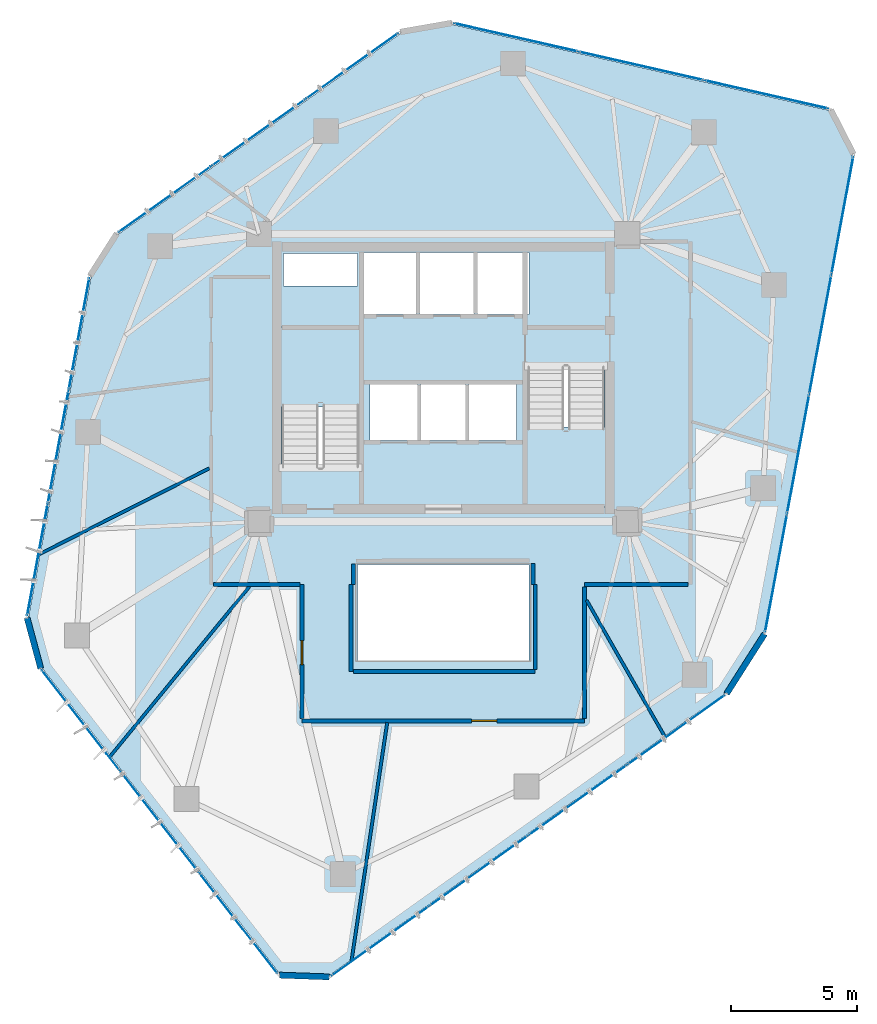
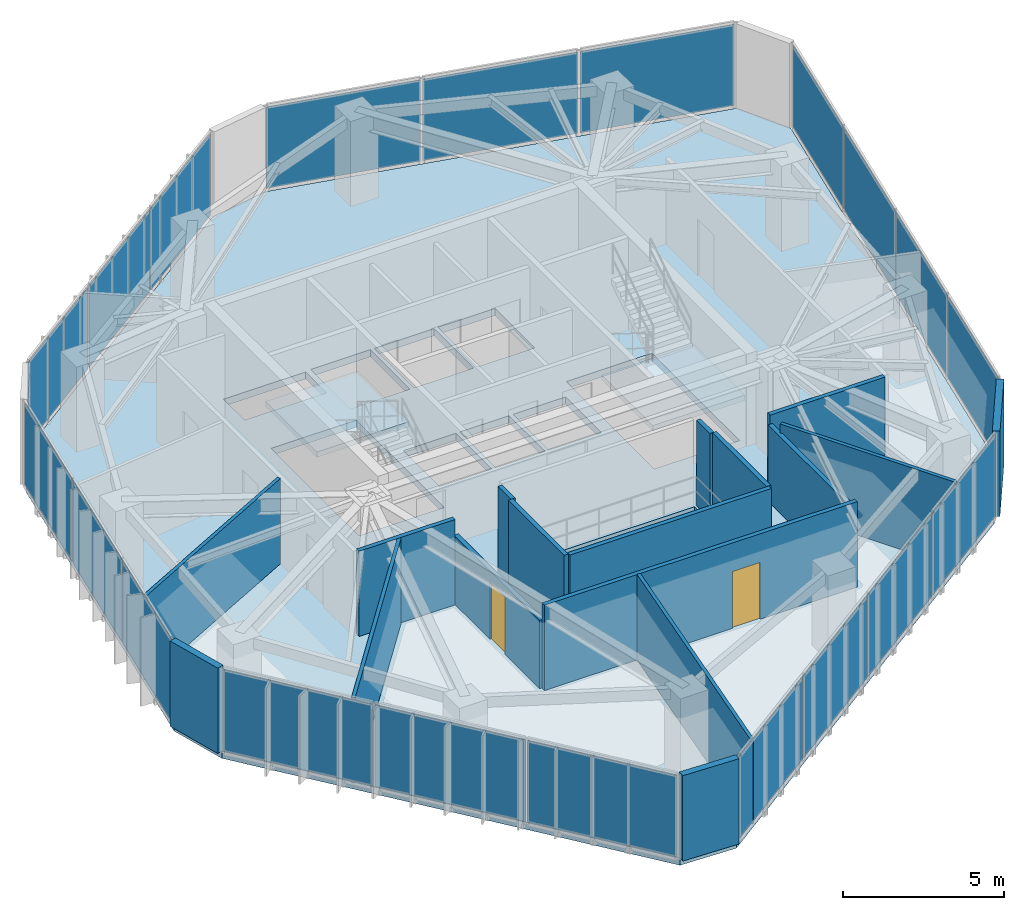
# One storey, part 15 of 19: 20 plates, 17 walls, 3 slabs, 2 doors, 2 openings, 8 elements without a shape of their own.
"""IFC4 building model written with IfcOpenShell, lengths in metres."""

from ifc_helpers import new_model, si_unit, direction, frame, frame_2d, origin, origin_2d, place, context, subcontext, project, spatial, polyline, rectangle, outline, extrude, source, transform, mapped, material, layer, layer_set, type_object, type_shapes, element, fill, aggregate, save


model = new_model("IFC4")

# Units and contexts
model_context = context("Model", 3, precision=1e-05, world=origin(), true_north=direction((0.0, 1.0)))
body_context = subcontext(model_context, "Body", "Model", "MODEL_VIEW")
ifc_project = project(units=[si_unit("LENGTHUNIT", "METRE"), si_unit("AREAUNIT", "SQUARE_METRE"), si_unit("VOLUMEUNIT", "CUBIC_METRE"), si_unit("PLANEANGLEUNIT", "RADIAN"), si_unit("MASSUNIT", "GRAM", prefix="KILO")], contexts=[model_context])

# Site, building, storey
site_placement = place(None, origin())
site = spatial("IfcSite", under=ifc_project, at=site_placement, CompositionType="ELEMENT")
building_placement = place(site_placement, origin())
building = spatial("IfcBuilding", under=site, at=building_placement, Name="Talar Marvaseh", CompositionType="ELEMENT")
storey_placement = place(building_placement, frame((0.0, 0.0, 195.0)))
storey = spatial("IfcBuildingStorey", under=building, at=storey_placement, Name="L51", CompositionType="ELEMENT", Elevation=195.0)

# Stair, slab
ifc_material_1 = material(Name="Concrete C40/50", Category="concrete")
stair_type = type_object("IfcStairType", Name="Reinforced Concrete High-Rise Exit Stair Type C", PredefinedType="HALF_TURN_STAIR", material=ifc_material_1)
stair_1_placement = place(storey_placement, origin())
stair_1 = element("IfcStair", 1, at=stair_1_placement, inside=storey, type_object=stair_type, Name="L51 Tower West Core Exit Stair", PredefinedType="HALF_TURN_STAIR")
ifc_layer_1 = layer(ifc_material_1, 0.199951171875)
ifc_layer_set_1 = layer_set([ifc_layer_1], Name="Concrete C40/50")
slab_type_1 = type_object("IfcSlabType", Name="Reinforced Concrete Stair Half-Landing Slab 200", PredefinedType="LANDING", material=ifc_layer_set_1)
slab_1_placement = place(storey_placement, frame((0.0, 0.0, 1.550048828125)))
slab_1 = element("IfcSlab", 2, at=slab_1_placement, type_object=slab_type_1, Name="ST-1 landing 1", PredefinedType="LANDING", context=body_context, shape_type="SweptSolid", body=[
    extrude(outline(polyline([(22.780029296875, 30.050048828125), (22.780029296875, 33.219970703125), (19.47998046875, 33.219970703125), (19.47998046875, 30.050048828125), (22.780029296875, 30.050048828125)])), origin(), (0.0, 0.0, 1.0), 0.199951171875),
])
aggregate(stair_1, [slab_1])

stair_2_placement = place(storey_placement, origin())
stair_2 = element("IfcStair", 3, at=stair_2_placement, inside=storey, type_object=stair_type, Name="L51 Tower East Core Exit Stair", PredefinedType="HALF_TURN_STAIR")
slab_2_placement = place(storey_placement, frame((0.0, 0.0, 1.550048828125)))
slab_2 = element("IfcSlab", 4, at=slab_2_placement, type_object=slab_type_1, Name="ST-2 landing 1", PredefinedType="LANDING", context=body_context, shape_type="SweptSolid", body=[
    extrude(outline(polyline([(29.219970703125, 29.25), (29.219970703125, 26.080078125), (32.52001953125, 26.080078125), (32.52001953125, 29.25), (29.219970703125, 29.25)])), origin(), (0.0, 0.0, 1.0), 0.199951171875),
])
aggregate(stair_2, [slab_2])

# Slab
ifc_layer_2 = layer(ifc_material_1, 0.27001953125)
ifc_layer_set_2 = layer_set([ifc_layer_2], Name="Concrete C40/50")
slab_type_2 = type_object("IfcSlabType", Name="Structural Suspended Floor Slab 270", PredefinedType="FLOOR", material=ifc_layer_set_2)
slab_3_placement = place(storey_placement, frame((0.0, 0.0, -0.27001953125)))
element("IfcSlab", 5, at=slab_3_placement, inside=storey, type_object=slab_type_2, Name="L51 Tower Floor Slab", PredefinedType="FLOOR", context=body_context, shape_type="SweptSolid", body=[
    extrude(outline(polyline([(21.4853515625, 7.501220703125), (19.509033203125, 7.572998046875), (10.097900390625, 19.685546875), (9.552734375, 21.70166015625), (12.039306640625, 35.20654296875), (13.115478515625, 36.89599609375), (24.30419921875, 44.856689453125), (26.36181640625, 45.21484375), (41.31689453125, 41.804443359375), (42.217041015625, 40.04345703125), (38.69921875, 21.078857421875), (37.1865234375, 18.70458984375), (21.4853515625, 7.501220703125)]), holes=[polyline([(22.659912109375, 27.64990234375), (22.659912109375, 33.10009765625), (19.60009765625, 33.10009765625), (19.60009765625, 27.64990234375), (22.659912109375, 27.64990234375)]), polyline([(29.340087890625, 31.64990234375), (29.340087890625, 26.199951171875), (32.39990234375, 26.199951171875), (32.39990234375, 31.64990234375), (29.340087890625, 31.64990234375)]), polyline([(22.800048828125, 33.719970703125), (24.93994140625, 33.719970703125), (24.93994140625, 36.179931640625), (22.800048828125, 36.179931640625), (22.800048828125, 33.719970703125)]), polyline([(25.080078125, 33.719970703125), (27.219970703125, 33.719970703125), (27.219970703125, 36.179931640625), (25.080078125, 36.179931640625), (25.080078125, 33.719970703125)]), polyline([(27.360107421875, 33.719970703125), (29.39990234375, 33.719970703125), (29.39990234375, 36.179931640625), (27.360107421875, 36.179931640625), (27.360107421875, 33.719970703125)]), polyline([(23.10009765625, 28.719970703125), (24.97998046875, 28.719970703125), (24.97998046875, 30.93994140625), (23.10009765625, 30.93994140625), (23.10009765625, 28.719970703125)]), polyline([(25.1201171875, 28.719970703125), (26.8798828125, 28.719970703125), (26.8798828125, 30.93994140625), (25.1201171875, 30.93994140625), (25.1201171875, 28.719970703125)]), polyline([(27.02001953125, 28.719970703125), (28.89990234375, 28.719970703125), (28.89990234375, 30.93994140625), (27.02001953125, 30.93994140625), (27.02001953125, 28.719970703125)]), polyline([(19.659912109375, 34.840087890625), (22.60009765625, 34.840087890625), (22.60009765625, 36.139892578125), (19.659912109375, 36.139892578125), (19.659912109375, 34.840087890625)]), polyline([(22.60009765625, 20.0), (29.39990234375, 20.0), (29.39990234375, 23.800048828125), (22.60009765625, 23.800048828125), (22.60009765625, 20.0)])]), origin(), (0.0, 0.0, 1.0), 0.27001953125),
])

# Curtain wall, plates
ifc_material_2 = material(Name="Architectural Aluminium", Category="aluminium")
ifc_layer_3 = layer(ifc_material_2, 0.18994140625)
ifc_layer_set_3 = layer_set([ifc_layer_3], Name="Architectural Aluminium")
curtain_wall_type = type_object("IfcCurtainWallType", Name="Unitised Solar Atelier Curtain Wall Z3", PredefinedType="NOTDEFINED", material=ifc_layer_set_3)
curtain_wall_1_placement = place(storey_placement, origin())
curtain_wall_1 = element("IfcCurtainWall", 6, at=curtain_wall_1_placement, inside=storey, type_object=curtain_wall_type, Name="L51 Unitised Solar Atelier Curtain Wall Z3", PredefinedType="NOTDEFINED")
ifc_material_3 = material(Name="Laminated Low-E Solar Glass", Category="glass")
ifc_layer_4 = layer(ifc_material_3, 0.028076171875)
ifc_layer_set_4 = layer_set([ifc_layer_4], Name="Laminated Low-E Solar Glass")
plate_type = type_object("IfcPlateType", Name="Double-Glazed Low-E Vision Curtain Panel 28", PredefinedType="CURTAIN_PANEL", material=ifc_layer_set_4)
shared_shape_1 = source(origin(), body_context, "Body", "SweptSolid", [
    extrude(rectangle(XDim=5.00048828125, YDim=0.028076171875, at=origin_2d()), origin(), (0.0, 0.0, 1.0), 3.080078125),
])
plate_1_placement = place(storey_placement, frame((17.881591796875, 9.569580078125, 0.074951171875), z_axis=(0.0, 0.0, 1.0), x_axis=(-0.613542909416, 0.789661382052, 0.0)))
plate_1 = element("IfcPlate", 7, at=plate_1_placement, type_object=plate_type, Name="CW-Z3 panel 1.1", PredefinedType="CURTAIN_PANEL", context=body_context, shape_type="MappedRepresentation", body=[
    mapped(shared_shape_1, transform((0.0, 0.0, 0.0), x_axis=(1.0, 0.0, 0.0), y_axis=(0.0, 1.0, 0.0), z_axis=(0.0, 0.0, 1.0), scale=1.0)),
])
plate_2_placement = place(storey_placement, frame((11.63037109375, 17.615234375, 0.074951171875), z_axis=(0.0, 0.0, 1.0), x_axis=(-0.613542909416, 0.789661382052, 0.0)))
plate_2 = element("IfcPlate", 8, at=plate_2_placement, type_object=plate_type, Name="CW-Z3 panel 3.1", PredefinedType="CURTAIN_PANEL", context=body_context, shape_type="MappedRepresentation", body=[
    mapped(shared_shape_1, transform((0.0, 0.0, 0.0), x_axis=(1.0, 0.0, 0.0), y_axis=(0.0, 1.0, 0.0), z_axis=(0.0, 0.0, 1.0), scale=1.0)),
])

curtain_wall_2_placement = place(storey_placement, origin())
curtain_wall_2 = element("IfcCurtainWall", 9, at=curtain_wall_2_placement, inside=storey, type_object=curtain_wall_type, Name="L51 Unitised Solar Atelier Curtain Wall Z3", PredefinedType="NOTDEFINED")
plate_3_placement = place(storey_placement, frame((28.8857421875, 44.70068359375, 0.074951171875), z_axis=(0.0, 0.0, 1.0), x_axis=(0.974970380139, -0.222334787767, 0.0)))
plate_3 = element("IfcPlate", 10, at=plate_3_placement, type_object=plate_type, Name="CW-Z3 panel 1.1", PredefinedType="CURTAIN_PANEL", context=body_context, shape_type="MappedRepresentation", body=[
    mapped(shared_shape_1, transform((0.0, 0.0, 0.0), x_axis=(1.0, 0.0, 0.0), y_axis=(0.0, 1.0, 0.0), z_axis=(0.0, 0.0, 1.0), scale=1.0)),
])
plate_4_placement = place(storey_placement, frame((38.8193359375, 42.435546875, 0.074951171875), z_axis=(0.0, 0.0, 1.0), x_axis=(0.974970380139, -0.222334787767, 0.0)))
plate_4 = element("IfcPlate", 11, at=plate_4_placement, type_object=plate_type, Name="CW-Z3 panel 3.1", PredefinedType="CURTAIN_PANEL", context=body_context, shape_type="MappedRepresentation", body=[
    mapped(shared_shape_1, transform((0.0, 0.0, 0.0), x_axis=(1.0, 0.0, 0.0), y_axis=(0.0, 1.0, 0.0), z_axis=(0.0, 0.0, 1.0), scale=1.0)),
])

# Plate
shared_shape_2 = source(origin(), body_context, "Body", "SweptSolid", [
    extrude(rectangle(XDim=5.0380859375, YDim=0.028076171875, at=origin_2d()), origin(), (0.0, 0.0, 1.0), 3.080078125),
])
plate_5_placement = place(storey_placement, frame((14.756103515625, 13.592529296875, 0.074951171875), z_axis=(0.0, 0.0, 1.0), x_axis=(-0.613542909416, 0.789661382052, 0.0)))
plate_5 = element("IfcPlate", 12, at=plate_5_placement, type_object=plate_type, Name="CW-Z3 panel 2.1", PredefinedType="CURTAIN_PANEL", context=body_context, shape_type="MappedRepresentation", body=[
    mapped(shared_shape_2, transform((0.0, 0.0, 0.0), x_axis=(1.0, 0.0, 0.0), y_axis=(0.0, 1.0, 0.0), z_axis=(0.0, 0.0, 1.0), scale=1.0)),
])

aggregate(curtain_wall_1, [plate_1, plate_5, plate_2])

plate_6_placement = place(storey_placement, frame((33.8525390625, 43.568115234375, 0.074951171875), z_axis=(0.0, 0.0, 1.0), x_axis=(0.974970380139, -0.222334787767, 0.0)))
plate_6 = element("IfcPlate", 13, at=plate_6_placement, type_object=plate_type, Name="CW-Z3 panel 2.1", PredefinedType="CURTAIN_PANEL", context=body_context, shape_type="MappedRepresentation", body=[
    mapped(shared_shape_2, transform((0.0, 0.0, 0.0), x_axis=(1.0, 0.0, 0.0), y_axis=(0.0, 1.0, 0.0), z_axis=(0.0, 0.0, 1.0), scale=1.0)),
])

aggregate(curtain_wall_2, [plate_3, plate_6, plate_4])

# Curtain wall, plates
curtain_wall_3_placement = place(storey_placement, origin())
curtain_wall_3 = element("IfcCurtainWall", 14, at=curtain_wall_3_placement, inside=storey, type_object=curtain_wall_type, Name="L51 Unitised Solar Atelier Curtain Wall Z3", PredefinedType="NOTDEFINED")
shared_shape_3 = source(origin(), body_context, "Body", "SweptSolid", [
    extrude(rectangle(XDim=4.46484375, YDim=0.028076171875, at=origin_2d()), origin(), (0.0, 0.0, 1.0), 3.080078125),
])
plate_7_placement = place(storey_placement, frame((9.91162109375, 23.98193359375, 0.074951171875), z_axis=(0.0, 0.0, 1.0), x_axis=(0.181069011334, 0.983470392607, 0.0)))
plate_7 = element("IfcPlate", 15, at=plate_7_placement, type_object=plate_type, Name="CW-Z3 panel 1.1", PredefinedType="CURTAIN_PANEL", context=body_context, shape_type="MappedRepresentation", body=[
    mapped(shared_shape_3, transform((0.0, 0.0, 0.0), x_axis=(1.0, 0.0, 0.0), y_axis=(0.0, 1.0, 0.0), z_axis=(0.0, 0.0, 1.0), scale=1.0)),
])
plate_8_placement = place(storey_placement, frame((11.5625, 32.9482421875, 0.074951171875), z_axis=(0.0, 0.0, 1.0), x_axis=(0.181069011334, 0.983470392607, 0.0)))
plate_8 = element("IfcPlate", 16, at=plate_8_placement, type_object=plate_type, Name="CW-Z3 panel 3.1", PredefinedType="CURTAIN_PANEL", context=body_context, shape_type="MappedRepresentation", body=[
    mapped(shared_shape_3, transform((0.0, 0.0, 0.0), x_axis=(1.0, 0.0, 0.0), y_axis=(0.0, 1.0, 0.0), z_axis=(0.0, 0.0, 1.0), scale=1.0)),
])

curtain_wall_4_placement = place(storey_placement, origin())
curtain_wall_4 = element("IfcCurtainWall", 17, at=curtain_wall_4_placement, inside=storey, type_object=curtain_wall_type, Name="L51 Unitised Solar Atelier Curtain Wall Z3", PredefinedType="NOTDEFINED")
plate_9_placement = place(storey_placement, frame((14.960693359375, 38.282470703125, 0.074951171875), z_axis=(0.0, 0.0, 1.0), x_axis=(0.81480182281, 0.579739587699, 0.0)))
plate_9 = element("IfcPlate", 18, at=plate_9_placement, type_object=plate_type, Name="CW-Z3 panel 1.1", PredefinedType="CURTAIN_PANEL", context=body_context, shape_type="MappedRepresentation", body=[
    mapped(shared_shape_3, transform((0.0, 0.0, 0.0), x_axis=(1.0, 0.0, 0.0), y_axis=(0.0, 1.0, 0.0), z_axis=(0.0, 0.0, 1.0), scale=1.0)),
])
plate_10_placement = place(storey_placement, frame((22.38916015625, 43.56787109375, 0.074951171875), z_axis=(0.0, 0.0, 1.0), x_axis=(0.81480182281, 0.579739587699, 0.0)))
plate_10 = element("IfcPlate", 19, at=plate_10_placement, type_object=plate_type, Name="CW-Z3 panel 3.1", PredefinedType="CURTAIN_PANEL", context=body_context, shape_type="MappedRepresentation", body=[
    mapped(shared_shape_3, transform((0.0, 0.0, 0.0), x_axis=(1.0, 0.0, 0.0), y_axis=(0.0, 1.0, 0.0), z_axis=(0.0, 0.0, 1.0), scale=1.0)),
])

# Plate
shared_shape_4 = source(origin(), body_context, "Body", "SweptSolid", [
    extrude(rectangle(XDim=4.502197265625, YDim=0.028076171875, at=origin_2d()), origin(), (0.0, 0.0, 1.0), 3.080078125),
])
plate_11_placement = place(storey_placement, frame((10.737060546875, 28.465087890625, 0.074951171875), z_axis=(0.0, 0.0, 1.0), x_axis=(0.181069011334, 0.983470392607, 0.0)))
plate_11 = element("IfcPlate", 20, at=plate_11_placement, type_object=plate_type, Name="CW-Z3 panel 2.1", PredefinedType="CURTAIN_PANEL", context=body_context, shape_type="MappedRepresentation", body=[
    mapped(shared_shape_4, transform((0.0, 0.0, 0.0), x_axis=(1.0, 0.0, 0.0), y_axis=(0.0, 1.0, 0.0), z_axis=(0.0, 0.0, 1.0), scale=1.0)),
])

aggregate(curtain_wall_3, [plate_7, plate_11, plate_8])

plate_12_placement = place(storey_placement, frame((18.675048828125, 40.92529296875, 0.074951171875), z_axis=(0.0, 0.0, 1.0), x_axis=(0.81480182281, 0.579739587699, 0.0)))
plate_12 = element("IfcPlate", 21, at=plate_12_placement, type_object=plate_type, Name="CW-Z3 panel 2.1", PredefinedType="CURTAIN_PANEL", context=body_context, shape_type="MappedRepresentation", body=[
    mapped(shared_shape_4, transform((0.0, 0.0, 0.0), x_axis=(1.0, 0.0, 0.0), y_axis=(0.0, 1.0, 0.0), z_axis=(0.0, 0.0, 1.0), scale=1.0)),
])

aggregate(curtain_wall_4, [plate_9, plate_12, plate_10])

# Curtain wall, plates
curtain_wall_5_placement = place(storey_placement, origin())
curtain_wall_5 = element("IfcCurtainWall", 22, at=curtain_wall_5_placement, inside=storey, type_object=curtain_wall_type, Name="L51 Unitised Solar Atelier Curtain Wall Z3", PredefinedType="NOTDEFINED")
shared_shape_5 = source(origin(), body_context, "Body", "SweptSolid", [
    extrude(rectangle(XDim=4.70947265625, YDim=0.028076171875, at=origin_2d()), origin(), (0.0, 0.0, 1.0), 3.080078125),
])
plate_13_placement = place(storey_placement, frame((41.832763671875, 37.6435546875, 0.074951171875), z_axis=(0.0, 0.0, 1.0), x_axis=(-0.182386853944, -0.983226848448, 0.0)))
plate_13 = element("IfcPlate", 23, at=plate_13_placement, type_object=plate_type, Name="CW-Z3 panel 1.1", PredefinedType="CURTAIN_PANEL", context=body_context, shape_type="MappedRepresentation", body=[
    mapped(shared_shape_5, transform((0.0, 0.0, 0.0), x_axis=(1.0, 0.0, 0.0), y_axis=(0.0, 1.0, 0.0), z_axis=(0.0, 0.0, 1.0), scale=1.0)),
])
plate_14_placement = place(storey_placement, frame((39.201171875, 23.45703125, 0.074951171875), z_axis=(0.0, 0.0, 1.0), x_axis=(-0.182386853944, -0.983226848448, 0.0)))
plate_14 = element("IfcPlate", 24, at=plate_14_placement, type_object=plate_type, Name="CW-Z3 panel 4.1", PredefinedType="CURTAIN_PANEL", context=body_context, shape_type="MappedRepresentation", body=[
    mapped(shared_shape_5, transform((0.0, 0.0, 0.0), x_axis=(1.0, 0.0, 0.0), y_axis=(0.0, 1.0, 0.0), z_axis=(0.0, 0.0, 1.0), scale=1.0)),
])

curtain_wall_6_placement = place(storey_placement, origin())
curtain_wall_6 = element("IfcCurtainWall", 25, at=curtain_wall_6_placement, inside=storey, type_object=curtain_wall_type, Name="L51 Unitised Solar Atelier Curtain Wall Z3", PredefinedType="NOTDEFINED")
plate_15_placement = place(storey_placement, frame((35.243408203125, 17.244384765625, 0.074951171875), z_axis=(0.0, 0.0, 1.0), x_axis=(-0.814024472162, -0.580830576607, 0.0)))
plate_15 = element("IfcPlate", 26, at=plate_15_placement, type_object=plate_type, Name="CW-Z3 panel 1.1", PredefinedType="CURTAIN_PANEL", context=body_context, shape_type="MappedRepresentation", body=[
    mapped(shared_shape_5, transform((0.0, 0.0, 0.0), x_axis=(1.0, 0.0, 0.0), y_axis=(0.0, 1.0, 0.0), z_axis=(0.0, 0.0, 1.0), scale=1.0)),
])
plate_16_placement = place(storey_placement, frame((23.498046875, 8.86376953125, 0.074951171875), z_axis=(0.0, 0.0, 1.0), x_axis=(-0.814024472162, -0.580830576607, 0.0)))
plate_16 = element("IfcPlate", 27, at=plate_16_placement, type_object=plate_type, Name="CW-Z3 panel 4.1", PredefinedType="CURTAIN_PANEL", context=body_context, shape_type="MappedRepresentation", body=[
    mapped(shared_shape_5, transform((0.0, 0.0, 0.0), x_axis=(1.0, 0.0, 0.0), y_axis=(0.0, 1.0, 0.0), z_axis=(0.0, 0.0, 1.0), scale=1.0)),
])

# Plate
shared_shape_6 = source(origin(), body_context, "Body", "SweptSolid", [
    extrude(rectangle(XDim=4.7470703125, YDim=0.028076171875, at=origin_2d()), origin(), (0.0, 0.0, 1.0), 3.080078125),
])
type_shapes(plate_type, [shared_shape_1, shared_shape_2, shared_shape_3, shared_shape_4, shared_shape_5, shared_shape_6])
plate_17_placement = place(storey_placement, frame((40.956787109375, 32.920654296875, 0.074951171875), z_axis=(0.0, 0.0, 1.0), x_axis=(-0.182386853944, -0.983226848448, 0.0)))
plate_17 = element("IfcPlate", 28, at=plate_17_placement, type_object=plate_type, Name="CW-Z3 panel 2.1", PredefinedType="CURTAIN_PANEL", context=body_context, shape_type="MappedRepresentation", body=[
    mapped(shared_shape_6, transform((0.0, 0.0, 0.0), x_axis=(1.0, 0.0, 0.0), y_axis=(0.0, 1.0, 0.0), z_axis=(0.0, 0.0, 1.0), scale=1.0)),
])

plate_18_placement = place(storey_placement, frame((40.077392578125, 28.1796875, 0.074951171875), z_axis=(0.0, 0.0, 1.0), x_axis=(-0.182386853944, -0.983226848448, 0.0)))
plate_18 = element("IfcPlate", 29, at=plate_18_placement, type_object=plate_type, Name="CW-Z3 panel 3.1", PredefinedType="CURTAIN_PANEL", context=body_context, shape_type="MappedRepresentation", body=[
    mapped(shared_shape_6, transform((0.0, 0.0, 0.0), x_axis=(1.0, 0.0, 0.0), y_axis=(0.0, 1.0, 0.0), z_axis=(0.0, 0.0, 1.0), scale=1.0)),
])

aggregate(curtain_wall_5, [plate_13, plate_17, plate_18, plate_14])

plate_19_placement = place(storey_placement, frame((31.33349609375, 14.45458984375, 0.074951171875), z_axis=(0.0, 0.0, 1.0), x_axis=(-0.814024472162, -0.580830576607, 0.0)))
plate_19 = element("IfcPlate", 30, at=plate_19_placement, type_object=plate_type, Name="CW-Z3 panel 2.1", PredefinedType="CURTAIN_PANEL", context=body_context, shape_type="MappedRepresentation", body=[
    mapped(shared_shape_6, transform((0.0, 0.0, 0.0), x_axis=(1.0, 0.0, 0.0), y_axis=(0.0, 1.0, 0.0), z_axis=(0.0, 0.0, 1.0), scale=1.0)),
])

plate_20_placement = place(storey_placement, frame((27.408203125, 11.65380859375, 0.074951171875), z_axis=(0.0, 0.0, 1.0), x_axis=(-0.814024472162, -0.580830576607, 0.0)))
plate_20 = element("IfcPlate", 31, at=plate_20_placement, type_object=plate_type, Name="CW-Z3 panel 3.1", PredefinedType="CURTAIN_PANEL", context=body_context, shape_type="MappedRepresentation", body=[
    mapped(shared_shape_6, transform((0.0, 0.0, 0.0), x_axis=(1.0, 0.0, 0.0), y_axis=(0.0, 1.0, 0.0), z_axis=(0.0, 0.0, 1.0), scale=1.0)),
])

aggregate(curtain_wall_6, [plate_15, plate_19, plate_20, plate_16])

# Walls
ifc_material_4 = material(Name="Precast concrete C45/55", Category="concrete")
ifc_layer_5 = layer(ifc_material_4, 0.239990234375)
ifc_layer_set_5 = layer_set([ifc_layer_5], Name="Precast concrete C45/55")
wall_type_1 = type_object("IfcWallType", Name="Chamfered Hexagonal Corner Pier Wall Z3 240", PredefinedType="SOLIDWALL", material=ifc_layer_set_5)
wall_1_placement = place(storey_placement, frame((21.483154296875, 7.44140625, 0.0), z_axis=(0.0, 0.0, 1.0), x_axis=(-0.999345597318, 0.036171495987, 0.0)))
element("IfcWall", 32, at=wall_1_placement, inside=storey, type_object=wall_type_1, Name="L51 Chamfered Corner Limestone Pier 1", PredefinedType="SOLIDWALL", context=body_context, shape_type="SweptSolid", body=[
    extrude(rectangle(XDim=1.9775390625, YDim=0.239990234375, at=frame_2d((0.98876953125, 0.0))), origin(), (0.0, 0.0, 1.0), 3.22998046875),
])
wall_2_placement = place(storey_placement, frame((10.039794921875, 19.669921875, 0.0), z_axis=(0.0, 0.0, 1.0), x_axis=(-0.260920802659, 0.965360209839, 0.0)))
element("IfcWall", 33, at=wall_2_placement, inside=storey, type_object=wall_type_1, Name="L51 Chamfered Corner Limestone Pier 2", PredefinedType="SOLIDWALL", context=body_context, shape_type="SweptSolid", body=[
    extrude(rectangle(XDim=2.08837890625, YDim=0.239990234375, at=frame_2d((1.044189453125, 0.0))), origin(), (0.0, 0.0, 1.0), 3.22998046875),
])
wall_3_placement = place(storey_placement, frame((38.749755859375, 21.046630859375, 0.0), z_axis=(0.0, 0.0, 1.0), x_axis=(-0.537329939946, -0.843372121687, 0.0)))
element("IfcWall", 34, at=wall_3_placement, inside=storey, type_object=wall_type_1, Name="L51 Chamfered Corner Limestone Pier 6", PredefinedType="SOLIDWALL", context=body_context, shape_type="SweptSolid", body=[
    extrude(rectangle(XDim=2.815185546875, YDim=0.239990234375, at=frame_2d((1.40771484375, 0.0))), origin(), (0.0, 0.0, 1.0), 3.22998046875),
])

# Wall, opening, door
ifc_material_5 = material(Name="Gypsum Board Partition Assembly")
ifc_layer_6 = layer(ifc_material_5, 0.155029296875)
ifc_layer_set_6 = layer_set([ifc_layer_6], Name="Gypsum Board Partition Assembly")
wall_type_2 = type_object("IfcWallType", Name="Corridor Fire-Rated Acoustic Partition 155", PredefinedType="PARTITIONING", material=ifc_layer_set_6)
wall_4_placement = place(storey_placement, frame((31.60009765625, 17.60009765625, 0.0), z_axis=(0.0, 0.0, 1.0), x_axis=(-1.0, 0.0, 0.0)))
wall_4 = element("IfcWall", 35, at=wall_4_placement, inside=storey, type_object=wall_type_2, Name="L51 Interior Partition Wall", PredefinedType="PARTITIONING", context=body_context, shape_type="SweptSolid", body=[
    extrude(rectangle(XDim=11.2001953125, YDim=0.155029296875, at=frame_2d((5.60009765625, 0.0))), origin(), (0.0, 0.0, 1.0), 3.22998046875),
])
opening_1_placement = place(wall_4_placement, frame((3.475341796875, 0.0, 0.0)))
opening_1 = element("IfcOpeningElement", 36, at=opening_1_placement, cuts=wall_4, Name="Opening DR-RM100", PredefinedType="OPENING", context=body_context, shape_type="SweptSolid", body=[
    extrude(rectangle(XDim=1.0, YDim=2.14990234375, at=frame_2d((0.5, 1.074951171875))), frame((0.0, 0.08740234375, 0.0), z_axis=(0.0, -1.0, 0.0), x_axis=(1.0, 0.0, 0.0)), (0.0, 0.0, 1.0), 0.175048828125),
])
ifc_material_6 = material(Name="Acoustic Engineered Oak Timber", Category="wood")
door_type_1 = type_object("IfcDoorType", Name="Corridor Fire-Rated Gallery Door 1000x2150", OperationType="NOTDEFINED", PredefinedType="DOOR", material=ifc_material_6)
shared_shape_7 = source(origin(), body_context, "Body", "SweptSolid", [
    extrude(rectangle(XDim=1.0, YDim=2.14990234375, at=frame_2d((0.5, 1.074951171875))), frame((0.0, 0.02490234375, 0.0), z_axis=(0.0, -1.0, 0.0), x_axis=(1.0, 0.0, 0.0)), (0.0, 0.0, 1.0), 0.050048828125),
])
type_shapes(door_type_1, [shared_shape_7])
door_1_placement = place(opening_1_placement, origin())
door_1 = element("IfcDoor", 37, at=door_1_placement, inside=storey, type_object=door_type_1, Name="L51 Colloquium Boardroom Door", OperationType="SINGLE_SWING_RIGHT", OverallHeight=2.14990234375, OverallWidth=1.0, PredefinedType="DOOR", context=body_context, shape_type="MappedRepresentation", body=[
    mapped(shared_shape_7, transform((0.0, 0.0, 0.0), x_axis=(1.0, 0.0, 0.0), y_axis=(0.0, 1.0, 0.0), z_axis=(0.0, 0.0, 1.0), scale=1.0)),
])
fill(opening_1, door_1)

wall_5_placement = place(storey_placement, frame((20.39990234375, 17.68359375, 0.0), z_axis=(0.0, 0.0, 1.0), x_axis=(0.0, 1.0, 0.0)))
wall_5 = element("IfcWall", 38, at=wall_5_placement, inside=storey, type_object=wall_type_2, Name="L51 Interior Partition Wall", PredefinedType="PARTITIONING", context=body_context, shape_type="SweptSolid", body=[
    extrude(rectangle(XDim=5.31640625, YDim=0.155029296875, at=frame_2d((2.658203125, 0.0))), origin(), (0.0, 0.0, 1.0), 2.589111328125),
])
opening_2_placement = place(wall_5_placement, frame((2.1416015625, 0.0, 0.0)))
opening_2 = element("IfcOpeningElement", 39, at=opening_2_placement, cuts=wall_5, Name="Opening DR-WC095", PredefinedType="OPENING", context=body_context, shape_type="SweptSolid", body=[
    extrude(rectangle(XDim=0.949951171875, YDim=2.14990234375, at=frame_2d((0.47509765625, 1.074951171875))), frame((0.0, 0.08740234375, 0.0), z_axis=(0.0, -1.0, 0.0), x_axis=(1.0, 0.0, 0.0)), (0.0, 0.0, 1.0), 0.175048828125),
])
door_type_2 = type_object("IfcDoorType", Name="Washroom and Service Room Door 950x2150", OperationType="NOTDEFINED", PredefinedType="DOOR", material=ifc_material_6)
shared_shape_8 = source(origin(), body_context, "Body", "SweptSolid", [
    extrude(rectangle(XDim=0.949951171875, YDim=2.14990234375, at=frame_2d((0.47509765625, 1.074951171875))), frame((0.0, 0.02490234375, 0.0), z_axis=(0.0, -1.0, 0.0), x_axis=(1.0, 0.0, 0.0)), (0.0, 0.0, 1.0), 0.050048828125),
])
type_shapes(door_type_2, [shared_shape_8])
door_2_placement = place(opening_2_placement, origin())
door_2 = element("IfcDoor", 40, at=door_2_placement, inside=storey, type_object=door_type_2, Name="L51 Hospitality Tea Pantry Door", OperationType="SINGLE_SWING_LEFT", OverallHeight=2.14990234375, OverallWidth=0.949951171875, PredefinedType="DOOR", context=body_context, shape_type="MappedRepresentation", body=[
    mapped(shared_shape_8, transform((0.0, 0.0, 0.0), x_axis=(1.0, 0.0, 0.0), y_axis=(0.0, 1.0, 0.0), z_axis=(0.0, 0.0, 1.0), scale=1.0)),
])
fill(opening_2, door_2)

# Walls
wall_6_placement = place(storey_placement, frame((35.716552734375, 23.0, 0.0), z_axis=(0.0, 0.0, 1.0), x_axis=(-1.0, 0.0, 0.0)))
element("IfcWall", 41, at=wall_6_placement, inside=storey, type_object=wall_type_2, Name="L51 Interior Partition Wall", PredefinedType="PARTITIONING", context=body_context, shape_type="SweptSolid", body=[
    extrude(rectangle(XDim=4.116455078125, YDim=0.155029296875, at=frame_2d((2.05810546875, 0.0))), origin(), (0.0, 0.0, 1.0), 3.22998046875),
])
wall_7_placement = place(storey_placement, frame((31.60009765625, 22.91650390625, 0.0), z_axis=(0.0, 0.0, 1.0), x_axis=(0.0, -1.0, 0.0)))
element("IfcWall", 42, at=wall_7_placement, inside=storey, type_object=wall_type_2, Name="L51 Interior Partition Wall", PredefinedType="PARTITIONING", context=body_context, shape_type="SweptSolid", body=[
    extrude(rectangle(XDim=5.23291015625, YDim=0.155029296875, at=frame_2d((2.616455078125, 0.0))), origin(), (0.0, 0.0, 1.0), 2.89208984375),
])
wall_8_placement = place(storey_placement, frame((20.31640625, 23.0, 0.0), z_axis=(0.0, 0.0, 1.0), x_axis=(-1.0, 0.0, 0.0)))
element("IfcWall", 43, at=wall_8_placement, inside=storey, type_object=wall_type_2, Name="L51 Interior Partition Wall", PredefinedType="PARTITIONING", context=body_context, shape_type="SweptSolid", body=[
    extrude(rectangle(XDim=3.432861328125, YDim=0.155029296875, at=frame_2d((1.71630859375, 0.0))), origin(), (0.0, 0.0, 1.0), 3.22998046875),
])
wall_9_placement = place(storey_placement, frame((22.44091796875, 23.815673828125, 0.0), z_axis=(0.0, 0.0, 1.0), x_axis=(-0.001197245475, -0.999999283301, 0.0)))
element("IfcWall", 44, at=wall_9_placement, inside=storey, type_object=wall_type_2, Name="L51 Interior Partition Wall", PredefinedType="PARTITIONING", context=body_context, shape_type="SweptSolid", body=[
    extrude(rectangle(XDim=0.815673828125, YDim=0.155029296875, at=frame_2d((0.40771484375, 0.0))), origin(), (0.0, 0.0, 1.0), 3.22998046875),
])
wall_10_placement = place(storey_placement, frame((22.35009765625, 23.0, 0.0), z_axis=(0.0, 0.0, 1.0), x_axis=(0.0, -1.0, 0.0)))
element("IfcWall", 45, at=wall_10_placement, inside=storey, type_object=wall_type_2, Name="L51 Interior Partition Wall", PredefinedType="PARTITIONING", context=body_context, shape_type="SweptSolid", body=[
    extrude(rectangle(XDim=3.449951171875, YDim=0.155029296875, at=frame_2d((1.72509765625, 0.0))), origin(), (0.0, 0.0, 1.0), 3.22998046875),
])
wall_11_placement = place(storey_placement, frame((22.43359375, 19.550048828125, 0.0), z_axis=(0.0, 0.0, 1.0), x_axis=(1.0, 0.0, 0.0)))
element("IfcWall", 46, at=wall_11_placement, inside=storey, type_object=wall_type_2, Name="L51 Interior Partition Wall", PredefinedType="PARTITIONING", context=body_context, shape_type="SweptSolid", body=[
    extrude(rectangle(XDim=7.21630859375, YDim=0.155029296875, at=frame_2d((3.608154296875, 0.0))), origin(), (0.0, 0.0, 1.0), 3.22998046875),
])
wall_12_placement = place(storey_placement, frame((29.64990234375, 19.633544921875, 0.0), z_axis=(0.0, 0.0, 1.0), x_axis=(0.0, 1.0, 0.0)))
element("IfcWall", 47, at=wall_12_placement, inside=storey, type_object=wall_type_2, Name="L51 Interior Partition Wall", PredefinedType="PARTITIONING", context=body_context, shape_type="SweptSolid", body=[
    extrude(rectangle(XDim=3.366455078125, YDim=0.155029296875, at=frame_2d((1.68310546875, 0.0))), origin(), (0.0, 0.0, 1.0), 3.22998046875),
])
wall_13_placement = place(storey_placement, frame((29.56005859375, 23.0, 0.0), z_axis=(0.0, 0.0, 1.0), x_axis=(-0.003817887006, 0.999992711843, 0.0)))
element("IfcWall", 48, at=wall_13_placement, inside=storey, type_object=wall_type_2, Name="L51 Interior Partition Wall", PredefinedType="PARTITIONING", context=body_context, shape_type="SweptSolid", body=[
    extrude(rectangle(XDim=0.831298828125, YDim=0.155029296875, at=frame_2d((0.41552734375, 0.0))), origin(), (0.0, 0.0, 1.0), 3.22998046875),
])
ifc_layer_7 = layer(ifc_material_5, 0.1201171875)
ifc_layer_set_7 = layer_set([ifc_layer_7], Name="Gypsum Board Partition Assembly")
wall_type_3 = type_object("IfcWallType", Name="Demountable Studio Room Partition 120", PredefinedType="PARTITIONING", material=ifc_layer_set_7)
wall_14_placement = place(storey_placement, frame((18.3115234375, 22.91650390625, 0.0), z_axis=(0.0, 0.0, 1.0), x_axis=(-0.634377534126, -0.773023378816, 0.0)))
element("IfcWall", 49, at=wall_14_placement, inside=storey, type_object=wall_type_3, Name="L51 Interior Partition Wall", PredefinedType="PARTITIONING", context=body_context, shape_type="SweptSolid", body=[
    extrude(rectangle(XDim=8.719970703125, YDim=0.1201171875, at=frame_2d((4.35986328125, 0.0))), origin(), (0.0, 0.0, 1.0), 3.22998046875),
])
wall_15_placement = place(storey_placement, frame((9.971923828125, 24.199951171875, 0.0), z_axis=(0.0, 0.0, 1.0), x_axis=(0.892532461232, 0.450983154504, 0.0)))
element("IfcWall", 50, at=wall_15_placement, inside=storey, type_object=wall_type_3, Name="L51 Interior Partition Wall", PredefinedType="PARTITIONING", context=body_context, shape_type="SweptSolid", body=[
    extrude(rectangle(XDim=7.556640625, YDim=0.1201171875, at=frame_2d((3.7783203125, 0.0))), origin(), (0.0, 0.0, 1.0), 3.22998046875),
])
wall_16_placement = place(storey_placement, frame((23.780517578125, 17.53564453125, 0.0), z_axis=(0.0, 0.0, 1.0), x_axis=(-0.148146984472, -0.988965353787, 0.0)))
element("IfcWall", 51, at=wall_16_placement, inside=storey, type_object=wall_type_3, Name="L51 Interior Partition Wall", PredefinedType="PARTITIONING", context=body_context, shape_type="SweptSolid", body=[
    extrude(rectangle(XDim=9.564697265625, YDim=0.1201171875, at=frame_2d((4.7822265625, 0.0))), origin(), (0.0, 0.0, 1.0), 3.22998046875),
])
wall_17_placement = place(storey_placement, frame((31.68359375, 22.384521484375, 0.0), z_axis=(0.0, 0.0, 1.0), x_axis=(0.497684374139, -0.867358209587, 0.0)))
element("IfcWall", 52, at=wall_17_placement, inside=storey, type_object=wall_type_3, Name="L51 Interior Partition Wall", PredefinedType="PARTITIONING", context=body_context, shape_type="SweptSolid", body=[
    extrude(rectangle(XDim=6.257568359375, YDim=0.1201171875, at=frame_2d((3.12890625, 0.0))), origin(), (0.0, 0.0, 1.0), 3.22998046875),
])

save(model, "model.ifc")
